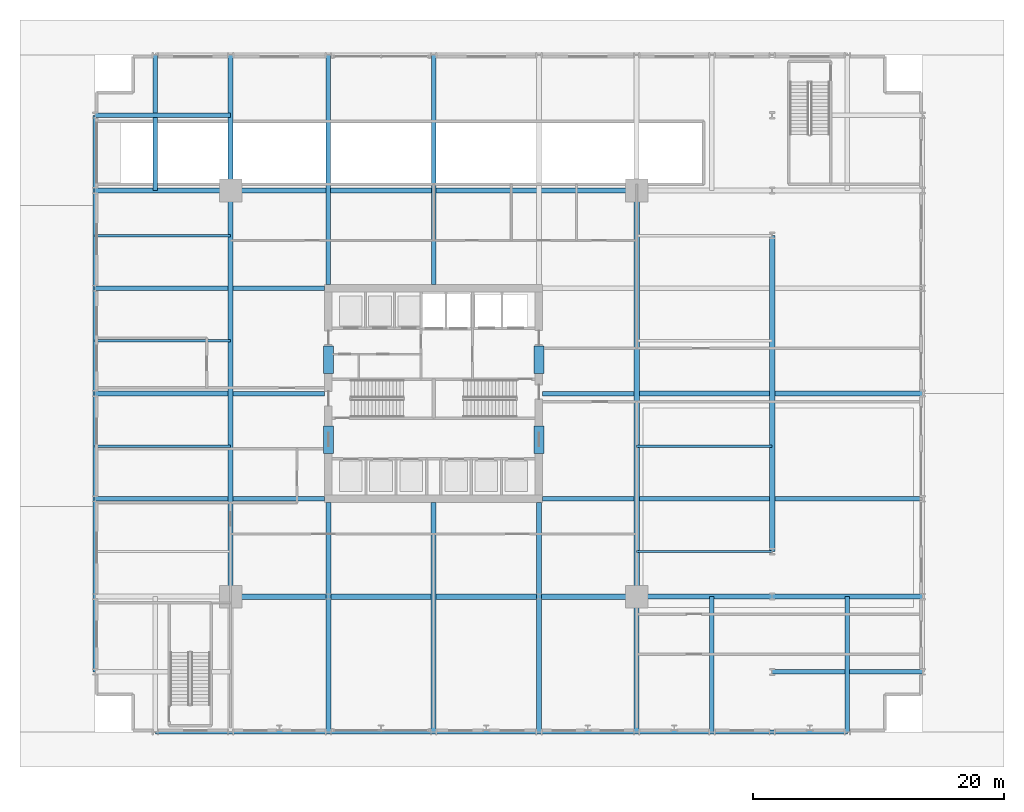
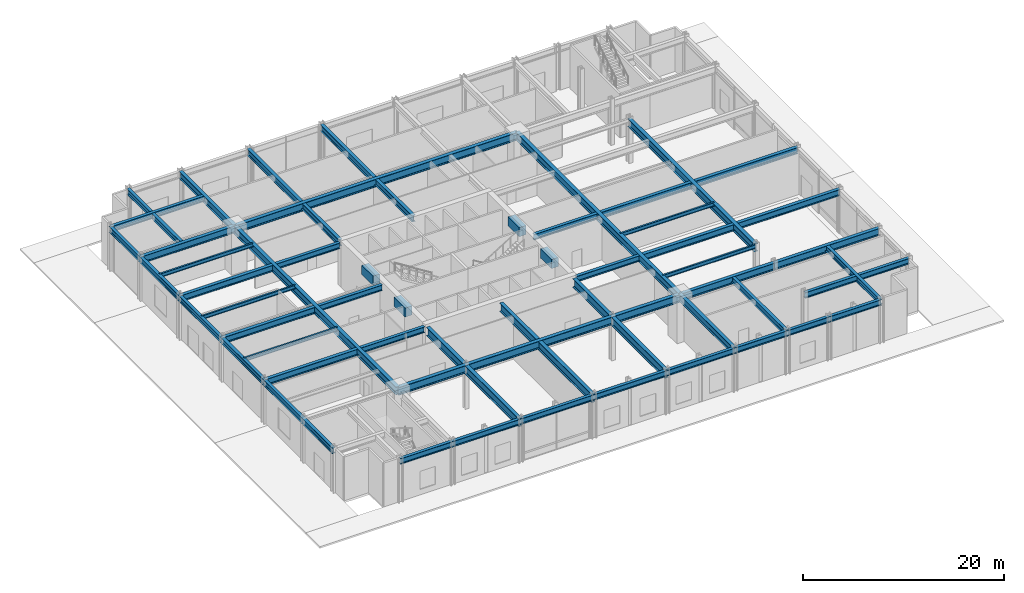
# One storey, part 4 of 21: 43 beams.
"""IFC4 building model written with IfcOpenShell, lengths in metres."""

from ifc_helpers import new_model, si_unit, direction, frame, origin, origin_2d, place, context, subcontext, project, spatial, rectangle, i_section, extrude, material, material_profile, profile_set, type_object, element, save


model = new_model("IFC4")

# Units and contexts
model_context = context("Model", 3, precision=1e-05, world=origin(), true_north=direction((0.0, 1.0)))
body_context = subcontext(model_context, "Body", "Model", "MODEL_VIEW")
ifc_project = project(units=[si_unit("LENGTHUNIT", "METRE"), si_unit("AREAUNIT", "SQUARE_METRE"), si_unit("VOLUMEUNIT", "CUBIC_METRE"), si_unit("PLANEANGLEUNIT", "RADIAN"), si_unit("MASSUNIT", "GRAM", prefix="KILO")], contexts=[model_context])

# Site, building, storey
site_placement = place(None, origin())
site = spatial("IfcSite", under=ifc_project, at=site_placement, CompositionType="ELEMENT")
building_placement = place(site_placement, origin())
building = spatial("IfcBuilding", under=site, at=building_placement, Name="Drelvath Grand Hotel", CompositionType="ELEMENT")
storey_placement = place(building_placement, origin())
storey = spatial("IfcBuildingStorey", under=building, at=storey_placement, Name="L00", CompositionType="ELEMENT", Elevation=0.0)

# Beams
ifc_material_1 = material(Name="Steel ASTM A992 Gr 50", Category="steel")
ifc_material_profile_1 = material_profile(ifc_material_1, i_section(OverallWidth=0.19140625, OverallDepth=0.4599609375, WebThickness=0.010009765625, FlangeThickness=0.01611328125, FilletRadius=0.01611328125, at=origin_2d()), Name="W18X55")
ifc_profile_set_1 = profile_set([ifc_material_profile_1], Name="Steel ASTM A992 Gr 50")
beam_type_1 = type_object("IfcBeamType", Name="Composite Floor Joist W18X55", PredefinedType="JOIST", material=ifc_profile_set_1)
for number, where, z_axis, x_axis, name in (
    (1, (-27.0, 22.800048828125, 5.070068359375), (1.0, 0.0, 0.0), (0.0, 1.0, 0.0), "L00 West Composite Joist J1"),
    (2, (16.199951171875, 22.800048828125, 5.070068359375), (1.0, 0.0, 0.0), (0.0, 1.0, 0.0), "L00 East Composite Joist J1"),
    (3, (-27.0, 31.199951171875, 5.070068359375), (1.0, 0.0, 0.0), (0.0, 1.0, 0.0), "L00 West Composite Joist J2"),
    (4, (16.199951171875, 14.39990234375, 5.070068359375), (1.0, 0.0, 0.0), (0.0, 1.0, 0.0), "L00 East Composite Joist J3"),
    (5, (-27.0, 39.60009765625, 5.070068359375), (1.0, 0.0, 0.0), (0.0, 1.0, 0.0), "L00 West Composite Joist J4"),
):
    element("IfcBeam", number, at=place(storey_placement, frame(where, z_axis=z_axis, x_axis=x_axis)), inside=storey, type_object=beam_type_1, Name=name, PredefinedType="JOIST", context=body_context, shape_type="SweptSolid", body=[
        extrude(i_section(OverallWidth=0.19140625, OverallDepth=0.4599609375, WebThickness=0.010009765625, FlangeThickness=0.01611328125, FilletRadius=0.01611328125, at=origin_2d()), origin(), (0.0, 0.0, 1.0), 10.800048828125),
    ])
ifc_material_2 = material(Name="Concrete f'c 70 MPa", Category="concrete")
ifc_material_profile_2 = material_profile(ifc_material_2, rectangle(XDim=0.800048828125, YDim=1.10009765625, at=origin_2d()), Name="CB800X1100")
ifc_profile_set_2 = profile_set([ifc_material_profile_2], Name="Concrete f'c 70 MPa")
beam_type_2 = type_object("IfcBeamType", Name="Core Coupling Lintel CB800X1100", PredefinedType="LINTEL", material=ifc_profile_set_2)
for number, where, z_axis, x_axis, name in (
    (6, (-8.39990234375, 22.199951171875, 4.75), (0.0, 1.0, 0.0), (-1.0, 0.0, 0.0), "L00 Core Coupling Lintel WS"),
    (7, (-8.39990234375, 28.60009765625, 4.75), (0.0, 1.0, 0.0), (-1.0, 0.0, 0.0), "L00 Core Coupling Lintel WN"),
    (8, (8.39990234375, 22.199951171875, 4.75), (0.0, 1.0, 0.0), (-1.0, 0.0, 0.0), "L00 Core Coupling Lintel ES"),
    (9, (8.39990234375, 28.60009765625, 4.75), (0.0, 1.0, 0.0), (-1.0, 0.0, 0.0), "L00 Core Coupling Lintel EN"),
):
    element("IfcBeam", number, at=place(storey_placement, frame(where, z_axis=z_axis, x_axis=x_axis)), inside=storey, type_object=beam_type_2, Name=name, PredefinedType="LINTEL", context=body_context, shape_type="SweptSolid", body=[
        extrude(rectangle(XDim=0.800048828125, YDim=1.10009765625, at=origin_2d()), origin(), (0.0, 0.0, 1.0), 2.199951171875),
    ])
ifc_material_profile_3 = material_profile(ifc_material_1, i_section(OverallWidth=0.354736328125, OverallDepth=0.695556640625, WebThickness=0.015380859375, FlangeThickness=0.025146484375, FilletRadius=0.02392578125, at=origin_2d()), Name="W27X146")
ifc_profile_set_3 = profile_set([ifc_material_profile_3], Name="Steel ASTM A992 Gr 50")
beam_type_3 = type_object("IfcBeamType", Name="Perimeter Spandrel Beam W27X146", PredefinedType="SPANDREL", material=ifc_profile_set_3)
beam_1_placement = place(storey_placement, frame((-27.0, 4.800048828125, 4.9521484375), z_axis=(0.0, 1.0, 0.0), x_axis=(-1.0, 0.0, 0.0)))
element("IfcBeam", 10, at=beam_1_placement, inside=storey, type_object=beam_type_3, Name="L00 Podium Perimeter Spandrel SPW1", PredefinedType="SPANDREL", context=body_context, shape_type="SweptSolid", body=[
    extrude(i_section(OverallWidth=0.354736328125, OverallDepth=0.695556640625, WebThickness=0.015380859375, FlangeThickness=0.025146484375, FilletRadius=0.02392578125, at=origin_2d()), origin(), (0.0, 0.0, 1.0), 44.39990234375),
])
beam_2_placement = place(storey_placement, frame((-22.199951171875, 0.0, 4.9521484375), z_axis=(1.0, 0.0, 0.0), x_axis=(0.0, 1.0, 0.0)))
element("IfcBeam", 11, at=beam_2_placement, inside=storey, type_object=beam_type_3, Name="L00 Podium Perimeter Spandrel SPS1", PredefinedType="SPANDREL", context=body_context, shape_type="SweptSolid", body=[
    extrude(i_section(OverallWidth=0.354736328125, OverallDepth=0.695556640625, WebThickness=0.015380859375, FlangeThickness=0.025146484375, FilletRadius=0.02392578125, at=origin_2d()), origin(), (0.0, 0.0, 1.0), 55.199951171875),
])
ifc_material_profile_4 = material_profile(ifc_material_1, i_section(OverallWidth=0.354736328125, OverallDepth=0.695556640625, WebThickness=0.015380859375, FlangeThickness=0.025146484375, FilletRadius=0.02392578125, at=origin_2d()), Name="W27X146")
ifc_profile_set_4 = profile_set([ifc_material_profile_4], Name="Steel ASTM A992 Gr 50")
beam_type_4 = type_object("IfcBeamType", Name="Primary Floor Girder W27X146", PredefinedType="BEAM", material=ifc_profile_set_4)
for number, where, z_axis, x_axis, name in (
    (12, (-15.988525390625, 18.60009765625, 4.9521484375), (1.0, 0.0, 0.0), (0.0, 1.0, 0.0), "L00 West Core Girder D"),
    (13, (8.699951171875, 18.60009765625, 4.9521484375), (1.0, 0.0, 0.0), (0.0, 1.0, 0.0), "L00 East Core Girder D"),
    (14, (-15.988525390625, 27.0, 4.9521484375), (1.0, 0.0, 0.0), (0.0, 1.0, 0.0), "L00 West Core Girder E"),
    (15, (8.699951171875, 27.0, 4.9521484375), (1.0, 0.0, 0.0), (0.0, 1.0, 0.0), "L00 East Core Girder E"),
    (16, (-15.988525390625, 35.39990234375, 4.9521484375), (1.0, 0.0, 0.0), (0.0, 1.0, 0.0), "L00 West Core Girder F"),
):
    element("IfcBeam", number, at=place(storey_placement, frame(where, z_axis=z_axis, x_axis=x_axis)), inside=storey, type_object=beam_type_4, Name=name, PredefinedType="BEAM", context=body_context, shape_type="SweptSolid", body=[
        extrude(i_section(OverallWidth=0.354736328125, OverallDepth=0.695556640625, WebThickness=0.015380859375, FlangeThickness=0.025146484375, FilletRadius=0.02392578125, at=origin_2d()), origin(), (0.0, 0.0, 1.0), 7.28857421875),
    ])
beam_3_placement = place(storey_placement, frame((27.0, 4.800048828125, 4.9521484375), z_axis=(1.0, 0.0, 0.0), x_axis=(0.0, 1.0, 0.0)))
element("IfcBeam", 17, at=beam_3_placement, inside=storey, type_object=beam_type_4, Name="L00 East Corner Tie B", PredefinedType="BEAM", context=body_context, shape_type="SweptSolid", body=[
    extrude(i_section(OverallWidth=0.354736328125, OverallDepth=0.695556640625, WebThickness=0.015380859375, FlangeThickness=0.025146484375, FilletRadius=0.02392578125, at=origin_2d()), origin(), (0.0, 0.0, 1.0), 12.0),
])
for number, where, z_axis, x_axis, name in (
    (18, (-27.0, 49.199951171875, 4.9521484375), (1.0, 0.0, 0.0), (0.0, 1.0, 0.0), "L00 West Corner Tie H"),
    (19, (-22.199951171875, 43.199951171875, 4.9521484375), (0.0, 1.0, 0.0), (-1.0, 0.0, 0.0), "L00 North Corner Tie 2"),
    (20, (22.199951171875, 0.0, 4.9521484375), (0.0, 1.0, 0.0), (-1.0, 0.0, 0.0), "L00 South Corner Tie 8"),
    (21, (33.0, 0.0, 4.9521484375), (0.0, 1.0, 0.0), (-1.0, 0.0, 0.0), "L00 South Corner Tie 10"),
):
    element("IfcBeam", number, at=place(storey_placement, frame(where, z_axis=z_axis, x_axis=x_axis)), inside=storey, type_object=beam_type_4, Name=name, PredefinedType="BEAM", context=body_context, shape_type="SweptSolid", body=[
        extrude(i_section(OverallWidth=0.354736328125, OverallDepth=0.695556640625, WebThickness=0.015380859375, FlangeThickness=0.025146484375, FilletRadius=0.02392578125, at=origin_2d()), origin(), (0.0, 0.0, 1.0), 10.800048828125),
    ])
ifc_material_profile_5 = material_profile(ifc_material_1, i_section(OverallWidth=0.380615234375, OverallDepth=0.773193359375, WebThickness=0.0166015625, FlangeThickness=0.027099609375, FilletRadius=0.02490234375, at=origin_2d()), Name="W30X173")
ifc_profile_set_5 = profile_set([ifc_material_profile_5], Name="Steel ASTM A992 Gr 50")
beam_type_5 = type_object("IfcBeamType", Name="Primary Floor Girder W30X173", PredefinedType="BEAM", material=ifc_profile_set_5)
for number, where, z_axis, x_axis, name in (
    (22, (-8.39990234375, 35.699951171875, 4.913330078125), (0.0, 1.0, 0.0), (-1.0, 0.0, 0.0), "L00 North Span Girder Grid 4"),
    (23, (0.0, 35.699951171875, 4.913330078125), (0.0, 1.0, 0.0), (-1.0, 0.0, 0.0), "L00 North Span Girder Grid 5"),
):
    element("IfcBeam", number, at=place(storey_placement, frame(where, z_axis=z_axis, x_axis=x_axis)), inside=storey, type_object=beam_type_5, Name=name, PredefinedType="BEAM", context=body_context, shape_type="SweptSolid", body=[
        extrude(i_section(OverallWidth=0.380615234375, OverallDepth=0.773193359375, WebThickness=0.0166015625, FlangeThickness=0.027099609375, FilletRadius=0.02490234375, at=origin_2d()), origin(), (0.0, 0.0, 1.0), 18.300048828125),
    ])
beam_4_placement = place(storey_placement, frame((-27.0, 18.60009765625, 4.913330078125), z_axis=(1.0, 0.0, 0.0), x_axis=(0.0, 1.0, 0.0)))
element("IfcBeam", 24, at=beam_4_placement, inside=storey, type_object=beam_type_5, Name="L00 West Bay Girder D", PredefinedType="BEAM", context=body_context, shape_type="SweptSolid", body=[
    extrude(i_section(OverallWidth=0.380615234375, OverallDepth=0.773193359375, WebThickness=0.0166015625, FlangeThickness=0.027099609375, FilletRadius=0.02490234375, at=origin_2d()), origin(), (0.0, 0.0, 1.0), 10.58837890625),
])
beam_5_placement = place(storey_placement, frame((16.41162109375, 18.60009765625, 4.913330078125), z_axis=(1.0, 0.0, 0.0), x_axis=(0.0, 1.0, 0.0)))
element("IfcBeam", 25, at=beam_5_placement, inside=storey, type_object=beam_type_5, Name="L00 East Bay Girder D", PredefinedType="BEAM", context=body_context, shape_type="SweptSolid", body=[
    extrude(i_section(OverallWidth=0.380615234375, OverallDepth=0.773193359375, WebThickness=0.0166015625, FlangeThickness=0.027099609375, FilletRadius=0.02490234375, at=origin_2d()), origin(), (0.0, 0.0, 1.0), 10.376953125),
])
beam_6_placement = place(storey_placement, frame((27.21142578125, 18.60009765625, 4.913330078125), z_axis=(1.0, 0.0, 0.0), x_axis=(0.0, 1.0, 0.0)))
element("IfcBeam", 26, at=beam_6_placement, inside=storey, type_object=beam_type_5, Name="L00 Atrium Floor Girder D", PredefinedType="BEAM", context=body_context, shape_type="SweptSolid", body=[
    extrude(i_section(OverallWidth=0.380615234375, OverallDepth=0.773193359375, WebThickness=0.0166015625, FlangeThickness=0.027099609375, FilletRadius=0.02490234375, at=origin_2d()), origin(), (0.0, 0.0, 1.0), 11.78857421875),
])
beam_7_placement = place(storey_placement, frame((-27.0, 27.0, 4.913330078125), z_axis=(1.0, 0.0, 0.0), x_axis=(0.0, 1.0, 0.0)))
element("IfcBeam", 27, at=beam_7_placement, inside=storey, type_object=beam_type_5, Name="L00 West Bay Girder E", PredefinedType="BEAM", context=body_context, shape_type="SweptSolid", body=[
    extrude(i_section(OverallWidth=0.380615234375, OverallDepth=0.773193359375, WebThickness=0.0166015625, FlangeThickness=0.027099609375, FilletRadius=0.02490234375, at=origin_2d()), origin(), (0.0, 0.0, 1.0), 10.58837890625),
])
beam_8_placement = place(storey_placement, frame((16.41162109375, 27.0, 4.913330078125), z_axis=(1.0, 0.0, 0.0), x_axis=(0.0, 1.0, 0.0)))
element("IfcBeam", 28, at=beam_8_placement, inside=storey, type_object=beam_type_5, Name="L00 East Bay Girder E", PredefinedType="BEAM", context=body_context, shape_type="SweptSolid", body=[
    extrude(i_section(OverallWidth=0.380615234375, OverallDepth=0.773193359375, WebThickness=0.0166015625, FlangeThickness=0.027099609375, FilletRadius=0.02490234375, at=origin_2d()), origin(), (0.0, 0.0, 1.0), 10.376953125),
])
beam_9_placement = place(storey_placement, frame((27.21142578125, 27.0, 4.913330078125), z_axis=(1.0, 0.0, 0.0), x_axis=(0.0, 1.0, 0.0)))
element("IfcBeam", 29, at=beam_9_placement, inside=storey, type_object=beam_type_5, Name="L00 Atrium Floor Girder E", PredefinedType="BEAM", context=body_context, shape_type="SweptSolid", body=[
    extrude(i_section(OverallWidth=0.380615234375, OverallDepth=0.773193359375, WebThickness=0.0166015625, FlangeThickness=0.027099609375, FilletRadius=0.02490234375, at=origin_2d()), origin(), (0.0, 0.0, 1.0), 11.78857421875),
])
beam_10_placement = place(storey_placement, frame((-27.0, 35.39990234375, 4.913330078125), z_axis=(1.0, 0.0, 0.0), x_axis=(0.0, 1.0, 0.0)))
element("IfcBeam", 30, at=beam_10_placement, inside=storey, type_object=beam_type_5, Name="L00 West Bay Girder F", PredefinedType="BEAM", context=body_context, shape_type="SweptSolid", body=[
    extrude(i_section(OverallWidth=0.380615234375, OverallDepth=0.773193359375, WebThickness=0.0166015625, FlangeThickness=0.027099609375, FilletRadius=0.02490234375, at=origin_2d()), origin(), (0.0, 0.0, 1.0), 10.58837890625),
])
ifc_material_profile_6 = material_profile(ifc_material_1, i_section(OverallWidth=0.39990234375, OverallDepth=0.85546875, WebThickness=0.018310546875, FlangeThickness=0.029296875, FilletRadius=0.02490234375, at=origin_2d()), Name="W33X201")
ifc_profile_set_6 = profile_set([ifc_material_profile_6], Name="Steel ASTM A992 Gr 50")
beam_type_6 = type_object("IfcBeamType", Name="Primary Floor Girder W33X201", PredefinedType="BEAM", material=ifc_profile_set_6)
beam_11_placement = place(storey_placement, frame((16.199951171875, 10.800048828125, 4.872314453125), z_axis=(1.0, 0.0, 0.0), x_axis=(0.0, 1.0, 0.0)))
element("IfcBeam", 31, at=beam_11_placement, inside=storey, type_object=beam_type_6, Name="L00 East Podium Girder 1 C", PredefinedType="BEAM", context=body_context, shape_type="SweptSolid", body=[
    extrude(i_section(OverallWidth=0.39990234375, OverallDepth=0.85546875, WebThickness=0.018310546875, FlangeThickness=0.029296875, FilletRadius=0.02490234375, at=origin_2d()), origin(), (0.0, 0.0, 1.0), 10.800048828125),
])
beam_12_placement = place(storey_placement, frame((27.0, 10.800048828125, 4.872314453125), z_axis=(1.0, 0.0, 0.0), x_axis=(0.0, 1.0, 0.0)))
element("IfcBeam", 32, at=beam_12_placement, inside=storey, type_object=beam_type_6, Name="L00 East Podium Girder 2 C", PredefinedType="BEAM", context=body_context, shape_type="SweptSolid", body=[
    extrude(i_section(OverallWidth=0.39990234375, OverallDepth=0.85546875, WebThickness=0.018310546875, FlangeThickness=0.029296875, FilletRadius=0.02490234375, at=origin_2d()), origin(), (0.0, 0.0, 1.0), 12.0),
])
for number, where, z_axis, x_axis, name in (
    (33, (-27.0, 43.199951171875, 4.872314453125), (1.0, 0.0, 0.0), (0.0, 1.0, 0.0), "L00 West Podium Girder G"),
    (34, (-16.199951171875, 43.199951171875, 4.872314453125), (0.0, 1.0, 0.0), (-1.0, 0.0, 0.0), "L00 North Podium Girder 3"),
    (35, (16.199951171875, 0.0, 4.872314453125), (0.0, 1.0, 0.0), (-1.0, 0.0, 0.0), "L00 South Podium Girder 7"),
):
    element("IfcBeam", number, at=place(storey_placement, frame(where, z_axis=z_axis, x_axis=x_axis)), inside=storey, type_object=beam_type_6, Name=name, PredefinedType="BEAM", context=body_context, shape_type="SweptSolid", body=[
        extrude(i_section(OverallWidth=0.39990234375, OverallDepth=0.85546875, WebThickness=0.018310546875, FlangeThickness=0.029296875, FilletRadius=0.02490234375, at=origin_2d()), origin(), (0.0, 0.0, 1.0), 10.800048828125),
    ])
ifc_material_profile_7 = material_profile(ifc_material_1, i_section(OverallWidth=0.423095703125, OverallDepth=0.9482421875, WebThickness=0.02392578125, FlangeThickness=0.042724609375, FilletRadius=0.028076171875, at=origin_2d()), Name="W36X302")
ifc_profile_set_7 = profile_set([ifc_material_profile_7], Name="Steel ASTM A992 Gr 50")
beam_type_7 = type_object("IfcBeamType", Name="Primary Floor Girder W36X302", PredefinedType="BEAM", material=ifc_profile_set_7)
for number, where, z_axis, x_axis, name in (
    (36, (-16.199951171875, 10.800048828125, 4.825927734375), (1.0, 0.0, 0.0), (0.0, 1.0, 0.0), "L00 Mega Frame Girder South"),
    (37, (-16.199951171875, 43.199951171875, 4.825927734375), (1.0, 0.0, 0.0), (0.0, 1.0, 0.0), "L00 Mega Frame Girder North"),
    (38, (-16.199951171875, 10.800048828125, 4.825927734375), (0.0, 1.0, 0.0), (-1.0, 0.0, 0.0), "L00 Mega Frame Girder West"),
    (39, (16.199951171875, 10.800048828125, 4.825927734375), (0.0, 1.0, 0.0), (-1.0, 0.0, 0.0), "L00 Mega Frame Girder East"),
):
    element("IfcBeam", number, at=place(storey_placement, frame(where, z_axis=z_axis, x_axis=x_axis)), inside=storey, type_object=beam_type_7, Name=name, PredefinedType="BEAM", context=body_context, shape_type="SweptSolid", body=[
        extrude(i_section(OverallWidth=0.423095703125, OverallDepth=0.9482421875, WebThickness=0.02392578125, FlangeThickness=0.042724609375, FilletRadius=0.028076171875, at=origin_2d()), origin(), (0.0, 0.0, 1.0), 32.39990234375),
    ])
beam_13_placement = place(storey_placement, frame((27.0, 14.39990234375, 4.825927734375), z_axis=(0.0, 1.0, 0.0), x_axis=(-1.0, 0.0, 0.0)))
element("IfcBeam", 40, at=beam_13_placement, inside=storey, type_object=beam_type_7, Name="L00 Atrium Edge Girder Grid 9", PredefinedType="BEAM", context=body_context, shape_type="SweptSolid", body=[
    extrude(i_section(OverallWidth=0.423095703125, OverallDepth=0.9482421875, WebThickness=0.02392578125, FlangeThickness=0.042724609375, FilletRadius=0.028076171875, at=origin_2d()), origin(), (0.0, 0.0, 1.0), 25.2001953125),
])
ifc_material_profile_8 = material_profile(ifc_material_1, i_section(OverallWidth=0.40966796875, OverallDepth=1.037353515625, WebThickness=0.031005859375, FlangeThickness=0.055908203125, FilletRadius=0.030029296875, at=origin_2d()), Name="W40X397")
ifc_profile_set_8 = profile_set([ifc_material_profile_8], Name="Steel ASTM A992 Gr 50")
beam_type_8 = type_object("IfcBeamType", Name="Primary Floor Girder W40X397", PredefinedType="BEAM", material=ifc_profile_set_8)
for number, where, z_axis, x_axis, name in (
    (41, (-8.39990234375, 0.0, 4.78125), (0.0, 1.0, 0.0), (-1.0, 0.0, 0.0), "L00 South Span Girder Grid 4"),
    (42, (0.0, 0.0, 4.78125), (0.0, 1.0, 0.0), (-1.0, 0.0, 0.0), "L00 South Span Girder Grid 5"),
    (43, (8.39990234375, 0.0, 4.78125), (0.0, 1.0, 0.0), (-1.0, 0.0, 0.0), "L00 South Span Girder Grid 6"),
):
    element("IfcBeam", number, at=place(storey_placement, frame(where, z_axis=z_axis, x_axis=x_axis)), inside=storey, type_object=beam_type_8, Name=name, PredefinedType="BEAM", context=body_context, shape_type="SweptSolid", body=[
        extrude(i_section(OverallWidth=0.40966796875, OverallDepth=1.037353515625, WebThickness=0.031005859375, FlangeThickness=0.055908203125, FilletRadius=0.030029296875, at=origin_2d()), origin(), (0.0, 0.0, 1.0), 18.300048828125),
    ])

save(model, "model.ifc")
